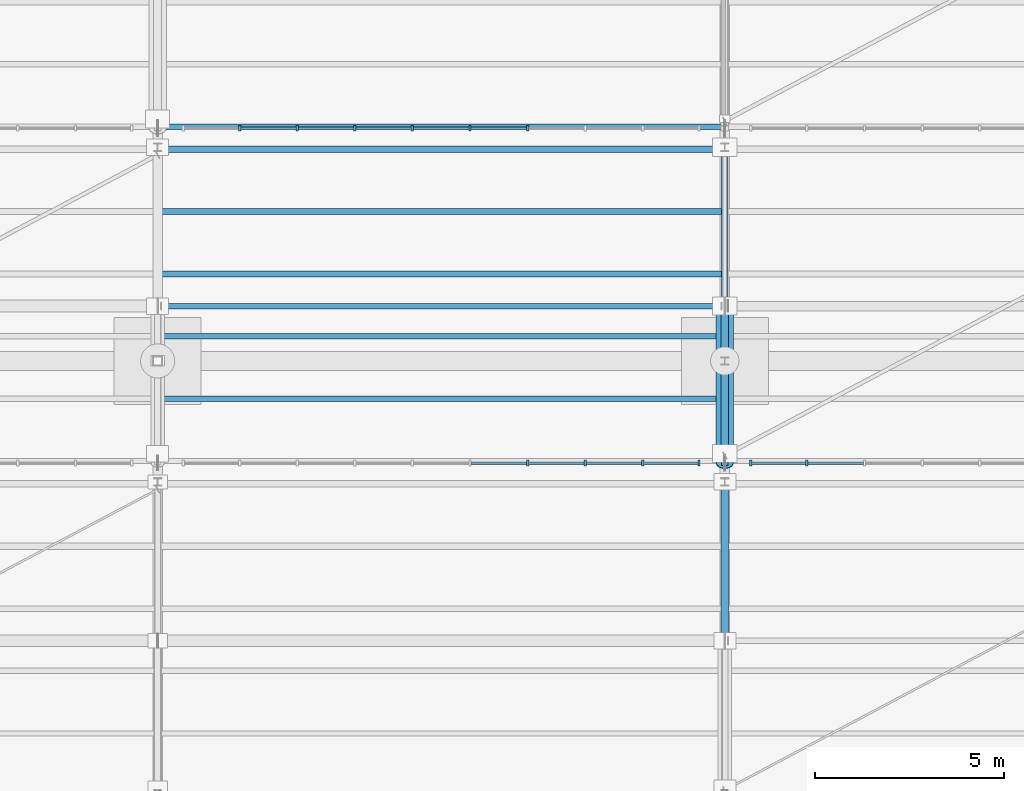
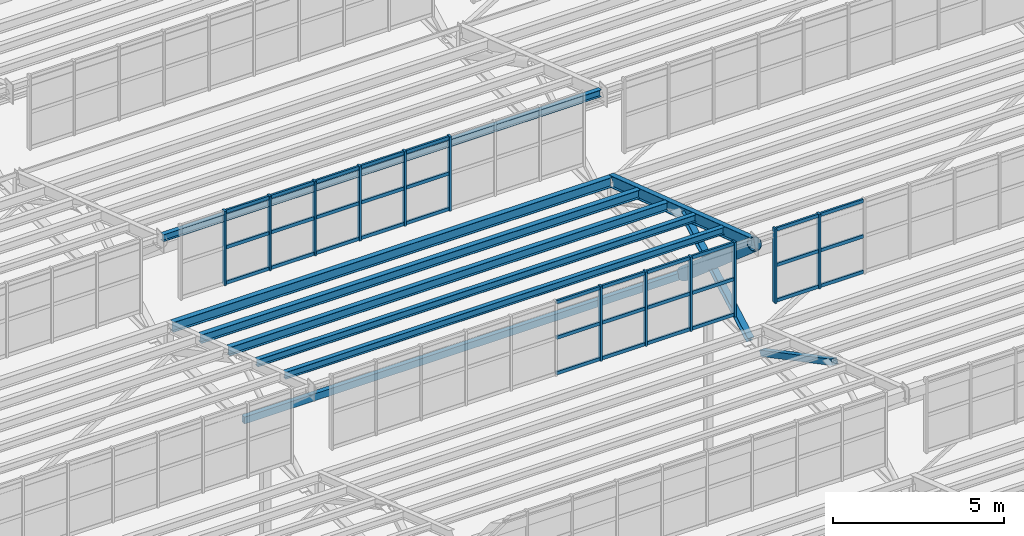
# One storey, part 58 of 285: 49 members, 7 beams, 3 elements without a shape of their own.
"""IFC4 building model written with IfcOpenShell, lengths in metres."""

import ifcopenshell
import ifcopenshell.guid

model = None  # the IFC model being written
_history = None  # IfcOwnerHistory: only IFC2X3 demands one
_inside = {}  # id of a spatial element -> (the spatial element, [elements in it])
_under = {}  # id of a project, library or spatial element -> (it, [spatial elements below it])
_declared = {}  # id of a project -> (the project, [libraries it declares])
_typed = {}  # id of a type object -> (the type object, [elements of that type])
_made_of = {}  # id of a material, layer set ... -> (it, [elements and type objects made of it])


def new_model(schema):
    """Start an empty IFC model of exactly this schema.

    Asked for "IFC4X3", IfcOpenShell would pick the latest addendum, in which some entities
    have other attributes; the version numbers below select the first issue.
    IFC2X3 requires an IfcOwnerHistory on every rooted entity: one is made here for all.
    """
    global model, _history
    if schema == "IFC4X3":
        model = ifcopenshell.file(schema_version=(4, 3, 0, 0))
    else:
        model = ifcopenshell.file(schema=schema)
    _inside.clear()
    _under.clear()
    _declared.clear()
    _typed.clear()
    _made_of.clear()
    _history = None
    if model.schema == "IFC2X3":
        org = make("IfcOrganization", Name="unknown")
        user = make(
            "IfcPersonAndOrganization",
            ThePerson=make("IfcPerson", FamilyName="unknown"),
            TheOrganization=org,
        )
        app = make(
            "IfcApplication",
            ApplicationDeveloper=org,
            Version="unknown",
            ApplicationFullName="unknown",
            ApplicationIdentifier="unknown",
        )
        _history = make(
            "IfcOwnerHistory",
            OwningUser=user,
            OwningApplication=app,
            ChangeAction="ADDED",
            CreationDate=0,
        )
    return model


def make(cls, **values):
    """One entity of the class cls with the attributes given. An attribute that is None is left unset."""
    return model.create_entity(
        cls, **{name: value for name, value in values.items() if value is not None}
    )


def rooted(cls, **values):
    """An entity with a GlobalId (a new one), such as an element, a storey or a relation."""
    return make(cls, GlobalId=ifcopenshell.guid.new(), OwnerHistory=_history, **values)


def si_unit(unit_type, name, prefix=None):
    """IfcSIUnit, for example si_unit("LENGTHUNIT", "METRE", prefix="MILLI")."""
    return make("IfcSIUnit", UnitType=unit_type, Prefix=prefix, Name=name)


def assignment(units):
    """IfcUnitAssignment: the units of a project."""
    return None if units is None else make("IfcUnitAssignment", Units=units)


def point(xyz):
    """IfcCartesianPoint."""
    return None if xyz is None else make("IfcCartesianPoint", Coordinates=xyz)


def direction(xyz):
    """IfcDirection."""
    return None if xyz is None else make("IfcDirection", DirectionRatios=xyz)


def frame(location, z_axis=None, x_axis=None):
    """IfcAxis2Placement3D, a coordinate frame: its origin and axes. An axis left out is left unset."""
    return make(
        "IfcAxis2Placement3D",
        Location=point(location),
        Axis=direction(z_axis),
        RefDirection=direction(x_axis),
    )


def frame_2d(location, x_axis=None):
    """IfcAxis2Placement2D, a coordinate frame in the plane: its origin and x axis."""
    return make(
        "IfcAxis2Placement2D", Location=point(location), RefDirection=direction(x_axis)
    )


def origin():
    """The frame at (0, 0, 0) with its axes left unset."""
    return frame((0.0, 0.0, 0.0))


def origin_2d():
    """The frame at (0, 0) in the plane with its x axis left unset."""
    return frame_2d((0.0, 0.0))


def place(relative_to, where):
    """IfcLocalPlacement: puts the frame where relative to a parent placement (None: the world)."""
    return make(
        "IfcLocalPlacement", PlacementRelTo=relative_to, RelativePlacement=where
    )


def context(
    kind, dimensions, precision=None, world=None, true_north=None, identifier=None
):
    """IfcGeometricRepresentationContext, for example the 3D "Model" context."""
    return make(
        "IfcGeometricRepresentationContext",
        ContextIdentifier=identifier,
        ContextType=kind,
        CoordinateSpaceDimension=dimensions,
        Precision=precision,
        WorldCoordinateSystem=world,
        TrueNorth=true_north,
    )


def subcontext(parent, identifier, kind, view, scale=None):
    """IfcGeometricRepresentationSubContext, for example "Body" below "Model"."""
    return make(
        "IfcGeometricRepresentationSubContext",
        ContextIdentifier=identifier,
        ContextType=kind,
        ParentContext=parent,
        TargetScale=scale,
        TargetView=view,
    )


def project(units=None, contexts=None):
    """IfcProject with its units and contexts."""
    return rooted(
        "IfcProject",
        Name="project",
        RepresentationContexts=contexts,
        UnitsInContext=assignment(units),
    )


def spatial(cls, under=None, at=None, **own):
    """A site, building, storey or space (cls), placed at a placement, below another one or the project."""
    s = rooted(cls, ObjectPlacement=at, **own)
    if under is not None:
        _under.setdefault(under.id(), (under, []))[1].append(s)
    return s


def profile(cls, at=None, kind="AREA", **sizes):
    """A parametric profile (cls). Its sizes go by their IFC names, for example OverallWidth=200.0."""
    return make(cls, ProfileType=kind, Position=at, **sizes)


def rectangle(**sizes):
    """IfcRectangleProfileDef."""
    return profile("IfcRectangleProfileDef", **sizes)


def hollow_rectangle(**sizes):
    """IfcRectangleHollowProfileDef."""
    return profile("IfcRectangleHollowProfileDef", **sizes)


def hollow_circle(**sizes):
    """IfcCircleHollowProfileDef."""
    return profile("IfcCircleHollowProfileDef", **sizes)


def i_section(**sizes):
    """IfcIShapeProfileDef."""
    return profile("IfcIShapeProfileDef", **sizes)


def extrude(swept, where, along, depth):
    """IfcExtrudedAreaSolid: the profile swept, set in the frame where, extruded along a direction by depth."""
    return make(
        "IfcExtrudedAreaSolid",
        SweptArea=swept,
        Position=where,
        ExtrudedDirection=direction(along),
        Depth=depth,
    )


def shape(context_of_items, identifier, shape_type, items):
    """IfcShapeRepresentation: the items that make up one representation, for example the "Body"."""
    return make(
        "IfcShapeRepresentation",
        ContextOfItems=context_of_items,
        RepresentationIdentifier=identifier,
        RepresentationType=shape_type,
        Items=items,
    )


def material(Name=None, Category=None):
    """IfcMaterial."""
    return make("IfcMaterial", Name=Name, Category=Category)


def material_profile(
    of_material, cross_section, Name=None, Category=None, Priority=None
):
    """IfcMaterialProfile: a cross section and its material."""
    return make(
        "IfcMaterialProfile",
        Name=Name,
        Material=of_material,
        Profile=cross_section,
        Priority=Priority,
        Category=Category,
    )


def profile_set(profiles, Name=None, composite=None):
    """IfcMaterialProfileSet."""
    return make(
        "IfcMaterialProfileSet",
        Name=Name,
        MaterialProfiles=profiles,
        CompositeProfile=composite,
    )


def made_of(thing, what):
    """Note that an element or type object is made of a material, layer set ...; save() writes the relation."""
    if what is not None:
        _made_of.setdefault(what.id(), (what, []))[1].append(thing)
    return thing


def type_object(cls, material=None, **own):
    """A type object (cls), such as IfcWallType, which elements share."""
    return made_of(rooted(cls, **own), material)


def element(
    cls,
    number,
    at=None,
    inside=None,
    cuts=None,
    type_object=None,
    material=None,
    context=None,
    identifier="Body",
    shape_type=None,
    held_by="IfcProductDefinitionShape",
    body=None,
    shapes=None,
    **own,
):
    """One element of the class cls, such as IfcWall. Its Tag is "e" and its number.

    at: its placement. inside: the storey or other place that contains it. cuts: it is an
    opening in that element (IfcRelVoidsElement). A single representation is given by context,
    identifier, shape_type and body (its items); several are given by shapes. held_by: the class
    of the entity that holds the representations. save() writes the other relations.
    """
    e = rooted(cls, Tag="e%d" % number, ObjectPlacement=at, **own)
    if body is not None:
        shapes = [shape(context, identifier, shape_type, body)]
    if shapes is not None:
        e.Representation = make(held_by, Representations=shapes)
    if inside is not None:
        _inside.setdefault(inside.id(), (inside, []))[1].append(e)
    if cuts is not None:
        rooted(
            "IfcRelVoidsElement", RelatingBuildingElement=cuts, RelatedOpeningElement=e
        )
    if type_object is not None:
        _typed.setdefault(type_object.id(), (type_object, []))[1].append(e)
    return made_of(e, material)


def aggregate(whole, parts):
    """IfcRelAggregates: a whole, such as a stair, and the parts it consists of."""
    return rooted("IfcRelAggregates", RelatingObject=whole, RelatedObjects=parts)


def save(model, path):
    """Write the relations noted so far, then the file.

    IfcRelAggregates (storeys below a building ...), IfcRelContainedInSpatialStructure (elements
    in a storey), IfcRelDefinesByType, IfcRelAssociatesMaterial and IfcRelDeclares: one each for
    every whole, place, type object, material and project.
    """
    for whole, parts in _under.values():
        aggregate(whole, parts)
    for where, things in _inside.values():
        rooted(
            "IfcRelContainedInSpatialStructure",
            RelatedElements=things,
            RelatingStructure=where,
        )
    for kind, things in _typed.values():
        rooted("IfcRelDefinesByType", RelatedObjects=things, RelatingType=kind)
    for what, things in _made_of.values():
        rooted("IfcRelAssociatesMaterial", RelatedObjects=things, RelatingMaterial=what)
    for by, libraries in _declared.values():
        rooted("IfcRelDeclares", RelatingContext=by, RelatedDefinitions=libraries)
    model.write(path)


model = new_model("IFC4")

# Units and contexts
model_context = context("Model", 3, precision=1e-05, world=origin(), true_north=direction((0.0, 1.0)))
body_context = subcontext(model_context, "Body", "Model", "MODEL_VIEW")
ifc_project = project(units=[si_unit("LENGTHUNIT", "METRE"), si_unit("AREAUNIT", "SQUARE_METRE"), si_unit("VOLUMEUNIT", "CUBIC_METRE"), si_unit("PLANEANGLEUNIT", "RADIAN"), si_unit("MASSUNIT", "GRAM", prefix="KILO")], contexts=[model_context])

# Site, building, storey
site_placement = place(None, origin())
site = spatial("IfcSite", under=ifc_project, at=site_placement, CompositionType="ELEMENT")
building_placement = place(site_placement, origin())
building = spatial("IfcBuilding", under=site, at=building_placement, Name="Solanera Park Tramway Depot", CompositionType="ELEMENT")
storey_placement = place(building_placement, origin())
storey = spatial("IfcBuildingStorey", under=building, at=storey_placement, Name="L00", CompositionType="ELEMENT", Elevation=0.0)

# Curtain wall, members
ifc_material_1 = material(Name="Bronze-anodised thermally broken aluminium curtain wall", Category="aluminium")
curtain_wall_type = type_object("IfcCurtainWallType", Name="Sawtooth Clerestory Monitor Curtain Wall", PredefinedType="NOTDEFINED", material=ifc_material_1)
curtain_wall_1_placement = place(storey_placement, origin())
curtain_wall_1 = element("IfcCurtainWall", 1, at=curtain_wall_1_placement, inside=storey, type_object=curtain_wall_type, Name="L00 Sawtooth Clerestory Monitor Curtain Wall #021", PredefinedType="NOTDEFINED")
ifc_material_2 = material(Name="Bronze-anodised structural aluminium 6063-T6", Category="aluminium")
ifc_material_profile_1 = material_profile(ifc_material_2, rectangle(XDim=0.06494140625, YDim=0.14990234375, at=origin_2d()), Name="Curtain Wall Mullion 65x150")
ifc_profile_set_1 = profile_set([ifc_material_profile_1], Name="Bronze-anodised structural aluminium 6063-T6")
member_type_1 = type_object("IfcMemberType", Name="Curtain Wall Mullion 65x150", PredefinedType="MULLION", material=ifc_profile_set_1)
member_1_placement = place(storey_placement, frame((39.783203125, 82.300048828125, 7.75), z_axis=(0.0, 0.0, 1.0), x_axis=(1.0, 0.0, 0.0)))
member_1 = element("IfcMember", 2, at=member_1_placement, type_object=member_type_1, Name="CW-L00-021 Mullion 7", PredefinedType="MULLION", context=body_context, shape_type="SweptSolid", body=[
    extrude(rectangle(XDim=0.06494140625, YDim=0.14990234375, at=origin_2d()), origin(), (0.0, 0.0, 1.0), 2.6611328125),
])
member_2_placement = place(storey_placement, frame((41.3056640625, 82.300048828125, 7.75), z_axis=(0.0, 0.0, 1.0), x_axis=(1.0, 0.0, 0.0)))
member_2 = element("IfcMember", 3, at=member_2_placement, type_object=member_type_1, Name="CW-L00-021 Mullion 8", PredefinedType="MULLION", context=body_context, shape_type="SweptSolid", body=[
    extrude(rectangle(XDim=0.06494140625, YDim=0.14990234375, at=origin_2d()), origin(), (0.0, 0.0, 1.0), 2.6611328125),
])
member_3_placement = place(storey_placement, frame((42.827880859375, 82.300048828125, 7.75), z_axis=(0.0, 0.0, 1.0), x_axis=(1.0, 0.0, 0.0)))
member_3 = element("IfcMember", 4, at=member_3_placement, type_object=member_type_1, Name="CW-L00-021 Mullion 9", PredefinedType="MULLION", context=body_context, shape_type="SweptSolid", body=[
    extrude(rectangle(XDim=0.06494140625, YDim=0.14990234375, at=origin_2d()), origin(), (0.0, 0.0, 1.0), 2.6611328125),
])
member_4_placement = place(storey_placement, frame((44.3173828125, 82.300048828125, 7.75), z_axis=(0.0, 0.0, 1.0), x_axis=(1.0, 0.0, 0.0)))
member_4 = element("IfcMember", 5, at=member_4_placement, type_object=member_type_1, Name="CW-L00-021 Mullion 10", PredefinedType="MULLION", context=body_context, shape_type="SweptSolid", body=[
    extrude(rectangle(XDim=0.06494140625, YDim=0.14990234375, at=origin_2d()), origin(), (0.0, 0.0, 1.0), 2.6611328125),
])

curtain_wall_2_placement = place(storey_placement, origin())
curtain_wall_2 = element("IfcCurtainWall", 6, at=curtain_wall_2_placement, inside=storey, type_object=curtain_wall_type, Name="L00 Sawtooth Clerestory Monitor Curtain Wall #022", PredefinedType="NOTDEFINED")
member_5_placement = place(storey_placement, frame((45.6826171875, 82.300048828125, 7.75), z_axis=(0.0, 0.0, 1.0), x_axis=(1.0, 0.0, 0.0)))
member_5 = element("IfcMember", 7, at=member_5_placement, type_object=member_type_1, Name="CW-L00-022 Mullion 1", PredefinedType="MULLION", context=body_context, shape_type="SweptSolid", body=[
    extrude(rectangle(XDim=0.06494140625, YDim=0.14990234375, at=origin_2d()), origin(), (0.0, 0.0, 1.0), 2.6611328125),
])
member_6_placement = place(storey_placement, frame((47.172119140625, 82.300048828125, 7.75), z_axis=(0.0, 0.0, 1.0), x_axis=(1.0, 0.0, 0.0)))
member_6 = element("IfcMember", 8, at=member_6_placement, type_object=member_type_1, Name="CW-L00-022 Mullion 2", PredefinedType="MULLION", context=body_context, shape_type="SweptSolid", body=[
    extrude(rectangle(XDim=0.06494140625, YDim=0.14990234375, at=origin_2d()), origin(), (0.0, 0.0, 1.0), 2.6611328125),
])

curtain_wall_3_placement = place(storey_placement, origin())
curtain_wall_3 = element("IfcCurtainWall", 9, at=curtain_wall_3_placement, inside=storey, type_object=curtain_wall_type, Name="L00 Sawtooth Clerestory Monitor Curtain Wall #029", PredefinedType="NOTDEFINED")
member_7_placement = place(storey_placement, frame((32.172119140625, 91.14990234375, 7.75), z_axis=(0.0, 0.0, 1.0), x_axis=(1.0, 0.0, 0.0)))
member_7 = element("IfcMember", 10, at=member_7_placement, type_object=member_type_1, Name="CW-L00-029 Mullion 2", PredefinedType="MULLION", context=body_context, shape_type="SweptSolid", body=[
    extrude(rectangle(XDim=0.06494140625, YDim=0.14990234375, at=origin_2d()), origin(), (0.0, 0.0, 1.0), 2.6611328125),
])
member_8_placement = place(storey_placement, frame((33.6943359375, 91.14990234375, 7.75), z_axis=(0.0, 0.0, 1.0), x_axis=(1.0, 0.0, 0.0)))
member_8 = element("IfcMember", 11, at=member_8_placement, type_object=member_type_1, Name="CW-L00-029 Mullion 3", PredefinedType="MULLION", context=body_context, shape_type="SweptSolid", body=[
    extrude(rectangle(XDim=0.06494140625, YDim=0.14990234375, at=origin_2d()), origin(), (0.0, 0.0, 1.0), 2.6611328125),
])
member_9_placement = place(storey_placement, frame((35.216796875, 91.14990234375, 7.75), z_axis=(0.0, 0.0, 1.0), x_axis=(1.0, 0.0, 0.0)))
member_9 = element("IfcMember", 12, at=member_9_placement, type_object=member_type_1, Name="CW-L00-029 Mullion 4", PredefinedType="MULLION", context=body_context, shape_type="SweptSolid", body=[
    extrude(rectangle(XDim=0.06494140625, YDim=0.14990234375, at=origin_2d()), origin(), (0.0, 0.0, 1.0), 2.6611328125),
])
member_10_placement = place(storey_placement, frame((36.739013671875, 91.14990234375, 7.75), z_axis=(0.0, 0.0, 1.0), x_axis=(1.0, 0.0, 0.0)))
member_10 = element("IfcMember", 13, at=member_10_placement, type_object=member_type_1, Name="CW-L00-029 Mullion 5", PredefinedType="MULLION", context=body_context, shape_type="SweptSolid", body=[
    extrude(rectangle(XDim=0.06494140625, YDim=0.14990234375, at=origin_2d()), origin(), (0.0, 0.0, 1.0), 2.6611328125),
])
member_11_placement = place(storey_placement, frame((38.260986328125, 91.14990234375, 7.75), z_axis=(0.0, 0.0, 1.0), x_axis=(1.0, 0.0, 0.0)))
member_11 = element("IfcMember", 14, at=member_11_placement, type_object=member_type_1, Name="CW-L00-029 Mullion 6", PredefinedType="MULLION", context=body_context, shape_type="SweptSolid", body=[
    extrude(rectangle(XDim=0.06494140625, YDim=0.14990234375, at=origin_2d()), origin(), (0.0, 0.0, 1.0), 2.6611328125),
])
member_12_placement = place(storey_placement, frame((39.783203125, 91.14990234375, 7.75), z_axis=(0.0, 0.0, 1.0), x_axis=(1.0, 0.0, 0.0)))
member_12 = element("IfcMember", 15, at=member_12_placement, type_object=member_type_1, Name="CW-L00-029 Mullion 7", PredefinedType="MULLION", context=body_context, shape_type="SweptSolid", body=[
    extrude(rectangle(XDim=0.06494140625, YDim=0.14990234375, at=origin_2d()), origin(), (0.0, 0.0, 1.0), 2.6611328125),
])

# Member
ifc_material_3 = material(Name="Bronze-anodised structural aluminium 6063-T6", Category="aluminium")
ifc_material_profile_2 = material_profile(ifc_material_3, rectangle(XDim=0.06494140625, YDim=0.1201171875, at=origin_2d()), Name="Curtain Wall Transom 65x120")
ifc_profile_set_2 = profile_set([ifc_material_profile_2], Name="Bronze-anodised structural aluminium 6063-T6")
member_type_2 = type_object("IfcMemberType", Name="Curtain Wall Transom 65x120", PredefinedType="USERDEFINED", material=ifc_profile_set_2)
member_13_placement = place(storey_placement, frame((38.2890625, 82.300048828125, 7.81005859375), z_axis=(1.0, 0.0, 0.0), x_axis=(0.0, 1.0, 0.0)))
member_13 = element("IfcMember", 16, at=member_13_placement, type_object=member_type_2, Name="CW-L00-021 Transom R1.C6", ObjectType="TRANSOM", PredefinedType="USERDEFINED", context=body_context, shape_type="SweptSolid", body=[
    extrude(rectangle(XDim=0.06494140625, YDim=0.1201171875, at=origin_2d()), origin(), (0.0, 0.0, 1.0), 1.46630859375),
])

member_14_placement = place(storey_placement, frame((39.811279296875, 82.300048828125, 7.81005859375), z_axis=(1.0, 0.0, 0.0), x_axis=(0.0, 1.0, 0.0)))
member_14 = element("IfcMember", 17, at=member_14_placement, type_object=member_type_2, Name="CW-L00-021 Transom R1.C7", ObjectType="TRANSOM", PredefinedType="USERDEFINED", context=body_context, shape_type="SweptSolid", body=[
    extrude(rectangle(XDim=0.06494140625, YDim=0.1201171875, at=origin_2d()), origin(), (0.0, 0.0, 1.0), 1.46630859375),
])

member_15_placement = place(storey_placement, frame((41.33349609375, 82.300048828125, 7.81005859375), z_axis=(1.0, 0.0, 0.0), x_axis=(0.0, 1.0, 0.0)))
member_15 = element("IfcMember", 18, at=member_15_placement, type_object=member_type_2, Name="CW-L00-021 Transom R1.C8", ObjectType="TRANSOM", PredefinedType="USERDEFINED", context=body_context, shape_type="SweptSolid", body=[
    extrude(rectangle(XDim=0.06494140625, YDim=0.1201171875, at=origin_2d()), origin(), (0.0, 0.0, 1.0), 1.46630859375),
])

member_16_placement = place(storey_placement, frame((42.855712890625, 82.300048828125, 7.81005859375), z_axis=(1.0, 0.0, 0.0), x_axis=(0.0, 1.0, 0.0)))
member_16 = element("IfcMember", 19, at=member_16_placement, type_object=member_type_2, Name="CW-L00-021 Transom R1.C9", ObjectType="TRANSOM", PredefinedType="USERDEFINED", context=body_context, shape_type="SweptSolid", body=[
    extrude(rectangle(XDim=0.06494140625, YDim=0.1201171875, at=origin_2d()), origin(), (0.0, 0.0, 1.0), 1.433837890625),
])

member_17_placement = place(storey_placement, frame((38.2890625, 82.300048828125, 9.08056640625), z_axis=(1.0, 0.0, 0.0), x_axis=(0.0, 1.0, 0.0)))
member_17 = element("IfcMember", 20, at=member_17_placement, type_object=member_type_2, Name="CW-L00-021 Transom R2.C6", ObjectType="TRANSOM", PredefinedType="USERDEFINED", context=body_context, shape_type="SweptSolid", body=[
    extrude(rectangle(XDim=0.06494140625, YDim=0.1201171875, at=origin_2d()), origin(), (0.0, 0.0, 1.0), 1.46630859375),
])

member_18_placement = place(storey_placement, frame((39.811279296875, 82.300048828125, 9.08056640625), z_axis=(1.0, 0.0, 0.0), x_axis=(0.0, 1.0, 0.0)))
member_18 = element("IfcMember", 21, at=member_18_placement, type_object=member_type_2, Name="CW-L00-021 Transom R2.C7", ObjectType="TRANSOM", PredefinedType="USERDEFINED", context=body_context, shape_type="SweptSolid", body=[
    extrude(rectangle(XDim=0.06494140625, YDim=0.1201171875, at=origin_2d()), origin(), (0.0, 0.0, 1.0), 1.46630859375),
])

member_19_placement = place(storey_placement, frame((41.33349609375, 82.300048828125, 9.08056640625), z_axis=(1.0, 0.0, 0.0), x_axis=(0.0, 1.0, 0.0)))
member_19 = element("IfcMember", 22, at=member_19_placement, type_object=member_type_2, Name="CW-L00-021 Transom R2.C8", ObjectType="TRANSOM", PredefinedType="USERDEFINED", context=body_context, shape_type="SweptSolid", body=[
    extrude(rectangle(XDim=0.06494140625, YDim=0.1201171875, at=origin_2d()), origin(), (0.0, 0.0, 1.0), 1.46630859375),
])

member_20_placement = place(storey_placement, frame((42.855712890625, 82.300048828125, 9.08056640625), z_axis=(1.0, 0.0, 0.0), x_axis=(0.0, 1.0, 0.0)))
member_20 = element("IfcMember", 23, at=member_20_placement, type_object=member_type_2, Name="CW-L00-021 Transom R2.C9", ObjectType="TRANSOM", PredefinedType="USERDEFINED", context=body_context, shape_type="SweptSolid", body=[
    extrude(rectangle(XDim=0.06494140625, YDim=0.1201171875, at=origin_2d()), origin(), (0.0, 0.0, 1.0), 1.433837890625),
])

member_21_placement = place(storey_placement, frame((38.2890625, 82.300048828125, 10.351318359375), z_axis=(1.0, 0.0, 0.0), x_axis=(0.0, 1.0, 0.0)))
member_21 = element("IfcMember", 24, at=member_21_placement, type_object=member_type_2, Name="CW-L00-021 Transom R3.C6", ObjectType="TRANSOM", PredefinedType="USERDEFINED", context=body_context, shape_type="SweptSolid", body=[
    extrude(rectangle(XDim=0.06494140625, YDim=0.1201171875, at=origin_2d()), origin(), (0.0, 0.0, 1.0), 1.46630859375),
])

member_22_placement = place(storey_placement, frame((39.811279296875, 82.300048828125, 10.351318359375), z_axis=(1.0, 0.0, 0.0), x_axis=(0.0, 1.0, 0.0)))
member_22 = element("IfcMember", 25, at=member_22_placement, type_object=member_type_2, Name="CW-L00-021 Transom R3.C7", ObjectType="TRANSOM", PredefinedType="USERDEFINED", context=body_context, shape_type="SweptSolid", body=[
    extrude(rectangle(XDim=0.06494140625, YDim=0.1201171875, at=origin_2d()), origin(), (0.0, 0.0, 1.0), 1.46630859375),
])

member_23_placement = place(storey_placement, frame((41.33349609375, 82.300048828125, 10.351318359375), z_axis=(1.0, 0.0, 0.0), x_axis=(0.0, 1.0, 0.0)))
member_23 = element("IfcMember", 26, at=member_23_placement, type_object=member_type_2, Name="CW-L00-021 Transom R3.C8", ObjectType="TRANSOM", PredefinedType="USERDEFINED", context=body_context, shape_type="SweptSolid", body=[
    extrude(rectangle(XDim=0.06494140625, YDim=0.1201171875, at=origin_2d()), origin(), (0.0, 0.0, 1.0), 1.46630859375),
])

member_24_placement = place(storey_placement, frame((42.855712890625, 82.300048828125, 10.351318359375), z_axis=(1.0, 0.0, 0.0), x_axis=(0.0, 1.0, 0.0)))
member_24 = element("IfcMember", 27, at=member_24_placement, type_object=member_type_2, Name="CW-L00-021 Transom R3.C9", ObjectType="TRANSOM", PredefinedType="USERDEFINED", context=body_context, shape_type="SweptSolid", body=[
    extrude(rectangle(XDim=0.06494140625, YDim=0.1201171875, at=origin_2d()), origin(), (0.0, 0.0, 1.0), 1.433837890625),
])

aggregate(curtain_wall_1, [member_1, member_2, member_3, member_4, member_13, member_14, member_15, member_16, member_17, member_18, member_19, member_20, member_21, member_22, member_23, member_24])

member_25_placement = place(storey_placement, frame((45.71044921875, 82.300048828125, 7.81005859375), z_axis=(1.0, 0.0, 0.0), x_axis=(0.0, 1.0, 0.0)))
member_25 = element("IfcMember", 28, at=member_25_placement, type_object=member_type_2, Name="CW-L00-022 Transom R1.C1", ObjectType="TRANSOM", PredefinedType="USERDEFINED", context=body_context, shape_type="SweptSolid", body=[
    extrude(rectangle(XDim=0.06494140625, YDim=0.1201171875, at=origin_2d()), origin(), (0.0, 0.0, 1.0), 1.433837890625),
])

member_26_placement = place(storey_placement, frame((47.2001953125, 82.300048828125, 7.81005859375), z_axis=(1.0, 0.0, 0.0), x_axis=(0.0, 1.0, 0.0)))
member_26 = element("IfcMember", 29, at=member_26_placement, type_object=member_type_2, Name="CW-L00-022 Transom R1.C2", ObjectType="TRANSOM", PredefinedType="USERDEFINED", context=body_context, shape_type="SweptSolid", body=[
    extrude(rectangle(XDim=0.06494140625, YDim=0.1201171875, at=origin_2d()), origin(), (0.0, 0.0, 1.0), 1.46630859375),
])

member_27_placement = place(storey_placement, frame((45.71044921875, 82.300048828125, 9.08056640625), z_axis=(1.0, 0.0, 0.0), x_axis=(0.0, 1.0, 0.0)))
member_27 = element("IfcMember", 30, at=member_27_placement, type_object=member_type_2, Name="CW-L00-022 Transom R2.C1", ObjectType="TRANSOM", PredefinedType="USERDEFINED", context=body_context, shape_type="SweptSolid", body=[
    extrude(rectangle(XDim=0.06494140625, YDim=0.1201171875, at=origin_2d()), origin(), (0.0, 0.0, 1.0), 1.433837890625),
])

member_28_placement = place(storey_placement, frame((47.2001953125, 82.300048828125, 9.08056640625), z_axis=(1.0, 0.0, 0.0), x_axis=(0.0, 1.0, 0.0)))
member_28 = element("IfcMember", 31, at=member_28_placement, type_object=member_type_2, Name="CW-L00-022 Transom R2.C2", ObjectType="TRANSOM", PredefinedType="USERDEFINED", context=body_context, shape_type="SweptSolid", body=[
    extrude(rectangle(XDim=0.06494140625, YDim=0.1201171875, at=origin_2d()), origin(), (0.0, 0.0, 1.0), 1.46630859375),
])

member_29_placement = place(storey_placement, frame((45.71044921875, 82.300048828125, 10.351318359375), z_axis=(1.0, 0.0, 0.0), x_axis=(0.0, 1.0, 0.0)))
member_29 = element("IfcMember", 32, at=member_29_placement, type_object=member_type_2, Name="CW-L00-022 Transom R3.C1", ObjectType="TRANSOM", PredefinedType="USERDEFINED", context=body_context, shape_type="SweptSolid", body=[
    extrude(rectangle(XDim=0.06494140625, YDim=0.1201171875, at=origin_2d()), origin(), (0.0, 0.0, 1.0), 1.433837890625),
])

member_30_placement = place(storey_placement, frame((47.2001953125, 82.300048828125, 10.351318359375), z_axis=(1.0, 0.0, 0.0), x_axis=(0.0, 1.0, 0.0)))
member_30 = element("IfcMember", 33, at=member_30_placement, type_object=member_type_2, Name="CW-L00-022 Transom R3.C2", ObjectType="TRANSOM", PredefinedType="USERDEFINED", context=body_context, shape_type="SweptSolid", body=[
    extrude(rectangle(XDim=0.06494140625, YDim=0.1201171875, at=origin_2d()), origin(), (0.0, 0.0, 1.0), 1.46630859375),
])

aggregate(curtain_wall_2, [member_5, member_6, member_25, member_26, member_27, member_28, member_29, member_30])

member_31_placement = place(storey_placement, frame((32.2001953125, 91.14990234375, 7.81005859375), z_axis=(1.0, 0.0, 0.0), x_axis=(0.0, 1.0, 0.0)))
member_31 = element("IfcMember", 34, at=member_31_placement, type_object=member_type_2, Name="CW-L00-029 Transom R1.C2", ObjectType="TRANSOM", PredefinedType="USERDEFINED", context=body_context, shape_type="SweptSolid", body=[
    extrude(rectangle(XDim=0.06494140625, YDim=0.1201171875, at=origin_2d()), origin(), (0.0, 0.0, 1.0), 1.46630859375),
])

member_32_placement = place(storey_placement, frame((33.722412109375, 91.14990234375, 7.81005859375), z_axis=(1.0, 0.0, 0.0), x_axis=(0.0, 1.0, 0.0)))
member_32 = element("IfcMember", 35, at=member_32_placement, type_object=member_type_2, Name="CW-L00-029 Transom R1.C3", ObjectType="TRANSOM", PredefinedType="USERDEFINED", context=body_context, shape_type="SweptSolid", body=[
    extrude(rectangle(XDim=0.06494140625, YDim=0.1201171875, at=origin_2d()), origin(), (0.0, 0.0, 1.0), 1.46630859375),
])

member_33_placement = place(storey_placement, frame((35.24462890625, 91.14990234375, 7.81005859375), z_axis=(1.0, 0.0, 0.0), x_axis=(0.0, 1.0, 0.0)))
member_33 = element("IfcMember", 36, at=member_33_placement, type_object=member_type_2, Name="CW-L00-029 Transom R1.C4", ObjectType="TRANSOM", PredefinedType="USERDEFINED", context=body_context, shape_type="SweptSolid", body=[
    extrude(rectangle(XDim=0.06494140625, YDim=0.1201171875, at=origin_2d()), origin(), (0.0, 0.0, 1.0), 1.46630859375),
])

member_34_placement = place(storey_placement, frame((36.766845703125, 91.14990234375, 7.81005859375), z_axis=(1.0, 0.0, 0.0), x_axis=(0.0, 1.0, 0.0)))
member_34 = element("IfcMember", 37, at=member_34_placement, type_object=member_type_2, Name="CW-L00-029 Transom R1.C5", ObjectType="TRANSOM", PredefinedType="USERDEFINED", context=body_context, shape_type="SweptSolid", body=[
    extrude(rectangle(XDim=0.06494140625, YDim=0.1201171875, at=origin_2d()), origin(), (0.0, 0.0, 1.0), 1.46630859375),
])

member_35_placement = place(storey_placement, frame((38.2890625, 91.14990234375, 7.81005859375), z_axis=(1.0, 0.0, 0.0), x_axis=(0.0, 1.0, 0.0)))
member_35 = element("IfcMember", 38, at=member_35_placement, type_object=member_type_2, Name="CW-L00-029 Transom R1.C6", ObjectType="TRANSOM", PredefinedType="USERDEFINED", context=body_context, shape_type="SweptSolid", body=[
    extrude(rectangle(XDim=0.06494140625, YDim=0.1201171875, at=origin_2d()), origin(), (0.0, 0.0, 1.0), 1.46630859375),
])

member_36_placement = place(storey_placement, frame((32.2001953125, 91.14990234375, 9.08056640625), z_axis=(1.0, 0.0, 0.0), x_axis=(0.0, 1.0, 0.0)))
member_36 = element("IfcMember", 39, at=member_36_placement, type_object=member_type_2, Name="CW-L00-029 Transom R2.C2", ObjectType="TRANSOM", PredefinedType="USERDEFINED", context=body_context, shape_type="SweptSolid", body=[
    extrude(rectangle(XDim=0.06494140625, YDim=0.1201171875, at=origin_2d()), origin(), (0.0, 0.0, 1.0), 1.46630859375),
])

member_37_placement = place(storey_placement, frame((33.722412109375, 91.14990234375, 9.08056640625), z_axis=(1.0, 0.0, 0.0), x_axis=(0.0, 1.0, 0.0)))
member_37 = element("IfcMember", 40, at=member_37_placement, type_object=member_type_2, Name="CW-L00-029 Transom R2.C3", ObjectType="TRANSOM", PredefinedType="USERDEFINED", context=body_context, shape_type="SweptSolid", body=[
    extrude(rectangle(XDim=0.06494140625, YDim=0.1201171875, at=origin_2d()), origin(), (0.0, 0.0, 1.0), 1.46630859375),
])

member_38_placement = place(storey_placement, frame((35.24462890625, 91.14990234375, 9.08056640625), z_axis=(1.0, 0.0, 0.0), x_axis=(0.0, 1.0, 0.0)))
member_38 = element("IfcMember", 41, at=member_38_placement, type_object=member_type_2, Name="CW-L00-029 Transom R2.C4", ObjectType="TRANSOM", PredefinedType="USERDEFINED", context=body_context, shape_type="SweptSolid", body=[
    extrude(rectangle(XDim=0.06494140625, YDim=0.1201171875, at=origin_2d()), origin(), (0.0, 0.0, 1.0), 1.46630859375),
])

member_39_placement = place(storey_placement, frame((36.766845703125, 91.14990234375, 9.08056640625), z_axis=(1.0, 0.0, 0.0), x_axis=(0.0, 1.0, 0.0)))
member_39 = element("IfcMember", 42, at=member_39_placement, type_object=member_type_2, Name="CW-L00-029 Transom R2.C5", ObjectType="TRANSOM", PredefinedType="USERDEFINED", context=body_context, shape_type="SweptSolid", body=[
    extrude(rectangle(XDim=0.06494140625, YDim=0.1201171875, at=origin_2d()), origin(), (0.0, 0.0, 1.0), 1.46630859375),
])

member_40_placement = place(storey_placement, frame((38.2890625, 91.14990234375, 9.08056640625), z_axis=(1.0, 0.0, 0.0), x_axis=(0.0, 1.0, 0.0)))
member_40 = element("IfcMember", 43, at=member_40_placement, type_object=member_type_2, Name="CW-L00-029 Transom R2.C6", ObjectType="TRANSOM", PredefinedType="USERDEFINED", context=body_context, shape_type="SweptSolid", body=[
    extrude(rectangle(XDim=0.06494140625, YDim=0.1201171875, at=origin_2d()), origin(), (0.0, 0.0, 1.0), 1.46630859375),
])

member_41_placement = place(storey_placement, frame((32.2001953125, 91.14990234375, 10.351318359375), z_axis=(1.0, 0.0, 0.0), x_axis=(0.0, 1.0, 0.0)))
member_41 = element("IfcMember", 44, at=member_41_placement, type_object=member_type_2, Name="CW-L00-029 Transom R3.C2", ObjectType="TRANSOM", PredefinedType="USERDEFINED", context=body_context, shape_type="SweptSolid", body=[
    extrude(rectangle(XDim=0.06494140625, YDim=0.1201171875, at=origin_2d()), origin(), (0.0, 0.0, 1.0), 1.46630859375),
])

member_42_placement = place(storey_placement, frame((33.722412109375, 91.14990234375, 10.351318359375), z_axis=(1.0, 0.0, 0.0), x_axis=(0.0, 1.0, 0.0)))
member_42 = element("IfcMember", 45, at=member_42_placement, type_object=member_type_2, Name="CW-L00-029 Transom R3.C3", ObjectType="TRANSOM", PredefinedType="USERDEFINED", context=body_context, shape_type="SweptSolid", body=[
    extrude(rectangle(XDim=0.06494140625, YDim=0.1201171875, at=origin_2d()), origin(), (0.0, 0.0, 1.0), 1.46630859375),
])

member_43_placement = place(storey_placement, frame((35.24462890625, 91.14990234375, 10.351318359375), z_axis=(1.0, 0.0, 0.0), x_axis=(0.0, 1.0, 0.0)))
member_43 = element("IfcMember", 46, at=member_43_placement, type_object=member_type_2, Name="CW-L00-029 Transom R3.C4", ObjectType="TRANSOM", PredefinedType="USERDEFINED", context=body_context, shape_type="SweptSolid", body=[
    extrude(rectangle(XDim=0.06494140625, YDim=0.1201171875, at=origin_2d()), origin(), (0.0, 0.0, 1.0), 1.46630859375),
])

member_44_placement = place(storey_placement, frame((36.766845703125, 91.14990234375, 10.351318359375), z_axis=(1.0, 0.0, 0.0), x_axis=(0.0, 1.0, 0.0)))
member_44 = element("IfcMember", 47, at=member_44_placement, type_object=member_type_2, Name="CW-L00-029 Transom R3.C5", ObjectType="TRANSOM", PredefinedType="USERDEFINED", context=body_context, shape_type="SweptSolid", body=[
    extrude(rectangle(XDim=0.06494140625, YDim=0.1201171875, at=origin_2d()), origin(), (0.0, 0.0, 1.0), 1.46630859375),
])

member_45_placement = place(storey_placement, frame((38.2890625, 91.14990234375, 10.351318359375), z_axis=(1.0, 0.0, 0.0), x_axis=(0.0, 1.0, 0.0)))
member_45 = element("IfcMember", 48, at=member_45_placement, type_object=member_type_2, Name="CW-L00-029 Transom R3.C6", ObjectType="TRANSOM", PredefinedType="USERDEFINED", context=body_context, shape_type="SweptSolid", body=[
    extrude(rectangle(XDim=0.06494140625, YDim=0.1201171875, at=origin_2d()), origin(), (0.0, 0.0, 1.0), 1.46630859375),
])

aggregate(curtain_wall_3, [member_7, member_8, member_9, member_10, member_11, member_12, member_31, member_32, member_33, member_34, member_35, member_36, member_37, member_38, member_39, member_40, member_41, member_42, member_43, member_44, member_45])

# Members
ifc_material_4 = material(Name="Steel AS/NZS 3679.1 Grade 350", Category="steel")
ifc_material_profile_3 = material_profile(ifc_material_4, i_section(OverallWidth=0.205078125, OverallDepth=0.209716796875, WebThickness=0.00927734375, FlangeThickness=0.01416015625, at=origin_2d()), Name="200UC59.5")
ifc_profile_set_3 = profile_set([ifc_material_profile_3], Name="Steel AS/NZS 3679.1 Grade 350")
member_type_3 = type_object("IfcMemberType", Name="Roof Gantry Compression Strut 200UC59.5", PredefinedType="STRUT", material=ifc_profile_set_3)
member_46_placement = place(storey_placement, frame((45.0, 82.550048828125, 6.5), z_axis=(0.0, 0.871630906744, 0.490162791742), x_axis=(-1.0, 0.0, 0.0)))
element("IfcMember", 49, at=member_46_placement, inside=storey, type_object=member_type_3, Name="Sawtooth ROOF TRUSS Strut 200UC59.5 #0143", PredefinedType="STRUT", context=body_context, shape_type="SweptSolid", body=[
    extrude(i_section(OverallWidth=0.205078125, OverallDepth=0.209716796875, WebThickness=0.00927734375, FlangeThickness=0.01416015625, at=origin_2d()), origin(), (0.0, 0.0, 1.0), 4.474365234375),
])
ifc_material_5 = material(Name="Steel AS/NZS 1163 Grade C350L0", Category="steel")
ifc_material_profile_4 = material_profile(ifc_material_5, hollow_rectangle(XDim=0.14990234375, YDim=0.25, WallThickness=0.008056640625, at=origin_2d()), Name="250x150x8.0 RHS")
ifc_profile_set_4 = profile_set([ifc_material_profile_4], Name="Steel AS/NZS 1163 Grade C350L0")
member_type_4 = type_object("IfcMemberType", Name="Secondary Truss Chord 250x150x8.0 RHS", PredefinedType="CHORD", material=ifc_profile_set_4)
member_47_placement = place(storey_placement, frame((30.087890625, 86.449951171875, 6.5), z_axis=(1.0, 0.0, 0.0), x_axis=(0.0, 1.0, 0.0)))
element("IfcMember", 50, at=member_47_placement, inside=storey, type_object=member_type_4, Name="Sawtooth Longitudinal Tie Chord 250x150x8.0 RHS #0168", PredefinedType="CHORD", context=body_context, shape_type="SweptSolid", body=[
    extrude(hollow_rectangle(XDim=0.14990234375, YDim=0.25, WallThickness=0.008056640625, at=origin_2d()), origin(), (0.0, 0.0, 1.0), 14.82421875),
])

# Beams
ifc_material_6 = material(Name="Steel AS/NZS 3679.1 Grade 350", Category="steel")
ifc_material_profile_5 = material_profile(ifc_material_6, i_section(OverallWidth=0.177734375, OverallDepth=0.406494140625, WebThickness=0.0078125, FlangeThickness=0.0126953125, at=origin_2d()), Name="410UB59.7")
ifc_profile_set_5 = profile_set([ifc_material_profile_5], Name="Steel AS/NZS 3679.1 Grade 350")
beam_type_1 = type_object("IfcBeamType", Name="Steel Beam 410UB59.7", PredefinedType="BEAM", material=ifc_profile_set_5)
beam_1_placement = place(storey_placement, frame((45.0, 82.300048828125, 10.08154296875), z_axis=(0.0, 0.948319437663, -0.317317261034), x_axis=(-1.0, 0.0, 0.0)))
element("IfcBeam", 51, at=beam_1_placement, inside=storey, type_object=beam_type_1, Name="Sawtooth ROOF TRUSS Top Rafter 410UB59.7 B04-T4", PredefinedType="BEAM", context=body_context, shape_type="SweptSolid", body=[
    extrude(i_section(OverallWidth=0.177734375, OverallDepth=0.406494140625, WebThickness=0.0078125, FlangeThickness=0.0126953125, at=origin_2d()), origin(), (0.0, 0.0, 1.0), 8.804931640625),
])
ifc_material_7 = material(Name="Steel AS/NZS 3679.1 Grade 350", Category="steel")
ifc_material_profile_6 = material_profile(ifc_material_7, i_section(OverallWidth=0.14599609375, OverallDepth=0.251708984375, WebThickness=0.006103515625, FlangeThickness=0.008544921875, at=origin_2d()), Name="250UB31.4")
ifc_profile_set_6 = profile_set([ifc_material_profile_6], Name="Steel AS/NZS 3679.1 Grade 350")
beam_type_2 = type_object("IfcBeamType", Name="Steel Joist Purlin 250UB31.4", PredefinedType="JOIST", material=ifc_profile_set_6)
beam_2_placement = place(storey_placement, frame((30.077880859375, 84.0, 9.587890625), z_axis=(1.0, 0.0, 0.0), x_axis=(0.0, 1.0, 0.0)))
element("IfcBeam", 52, at=beam_2_placement, inside=storey, type_object=beam_type_2, Name="Sawtooth Roof Purlin 250UB31.4 B04.2", PredefinedType="JOIST", context=body_context, shape_type="SweptSolid", body=[
    extrude(i_section(OverallWidth=0.14599609375, OverallDepth=0.251708984375, WebThickness=0.006103515625, FlangeThickness=0.008544921875, at=origin_2d()), origin(), (0.0, 0.0, 1.0), 14.84130859375),
])
beam_3_placement = place(storey_placement, frame((30.080810546875, 91.199951171875, 10.139892578125), z_axis=(1.0, 0.0, 0.0), x_axis=(0.0, 1.0, 0.0)))
element("IfcBeam", 53, at=beam_3_placement, inside=storey, type_object=beam_type_2, Name="Sawtooth Roof Purlin 250UB31.4 B05.1", PredefinedType="JOIST", context=body_context, shape_type="SweptSolid", body=[
    extrude(i_section(OverallWidth=0.14599609375, OverallDepth=0.251708984375, WebThickness=0.006103515625, FlangeThickness=0.008544921875, at=origin_2d()), origin(), (0.0, 0.0, 1.0), 14.83203125),
])
ifc_material_8 = material(Name="Steel AS/NZS 3679.1 Grade 350", Category="steel")
ifc_material_profile_7 = material_profile(ifc_material_8, i_section(OverallWidth=0.146484375, OverallDepth=0.256103515625, WebThickness=0.00634765625, FlangeThickness=0.010986328125, at=origin_2d()), Name="250UB37.3")
ifc_profile_set_7 = profile_set([ifc_material_profile_7], Name="Steel AS/NZS 3679.1 Grade 350")
beam_type_3 = type_object("IfcBeamType", Name="Steel Joist Purlin 250UB37.3", PredefinedType="JOIST", material=ifc_profile_set_7)
beam_4_placement = place(storey_placement, frame((30.077880859375, 85.64990234375, 9.033203125), z_axis=(1.0, 0.0, 0.0), x_axis=(0.0, 1.0, 0.0)))
element("IfcBeam", 54, at=beam_4_placement, inside=storey, type_object=beam_type_3, Name="Sawtooth Roof Purlin 250UB37.3 B04.3", PredefinedType="JOIST", context=body_context, shape_type="SweptSolid", body=[
    extrude(i_section(OverallWidth=0.146484375, OverallDepth=0.256103515625, WebThickness=0.00634765625, FlangeThickness=0.010986328125, at=origin_2d()), origin(), (0.0, 0.0, 1.0), 14.84130859375),
])
ifc_material_9 = material(Name="Steel AS/NZS 3679.1 Grade 350", Category="steel")
ifc_material_profile_8 = material_profile(ifc_material_9, i_section(OverallWidth=0.1650390625, OverallDepth=0.3037109375, WebThickness=0.006103515625, FlangeThickness=0.01025390625, at=origin_2d()), Name="310UB40.4")
ifc_profile_set_8 = profile_set([ifc_material_profile_8], Name="Steel AS/NZS 3679.1 Grade 350")
beam_type_4 = type_object("IfcBeamType", Name="Steel Joist Purlin 310UB40.4", PredefinedType="JOIST", material=ifc_profile_set_8)
beam_5_placement = place(storey_placement, frame((30.077880859375, 87.300048828125, 8.454345703125), z_axis=(1.0, 0.0, 0.0), x_axis=(0.0, 1.0, 0.0)))
element("IfcBeam", 55, at=beam_5_placement, inside=storey, type_object=beam_type_4, Name="Sawtooth Roof Purlin 310UB40.4 B04.4", PredefinedType="JOIST", context=body_context, shape_type="SweptSolid", body=[
    extrude(i_section(OverallWidth=0.1650390625, OverallDepth=0.3037109375, WebThickness=0.006103515625, FlangeThickness=0.01025390625, at=origin_2d()), origin(), (0.0, 0.0, 1.0), 14.84130859375),
])
ifc_material_10 = material(Name="Steel AS/NZS 3679.1 Grade 350", Category="steel")
ifc_material_profile_9 = material_profile(ifc_material_10, i_section(OverallWidth=0.166015625, OverallDepth=0.30712890625, WebThickness=0.006591796875, FlangeThickness=0.01171875, at=origin_2d()), Name="310UB46.2")
ifc_profile_set_9 = profile_set([ifc_material_profile_9], Name="Steel AS/NZS 3679.1 Grade 350")
beam_type_5 = type_object("IfcBeamType", Name="Steel Joist Purlin 310UB46.2", PredefinedType="JOIST", material=ifc_profile_set_9)
beam_6_placement = place(storey_placement, frame((30.077880859375, 88.949951171875, 7.900390625), z_axis=(1.0, 0.0, 0.0), x_axis=(0.0, 1.0, 0.0)))
element("IfcBeam", 56, at=beam_6_placement, inside=storey, type_object=beam_type_5, Name="Sawtooth Roof Purlin 310UB46.2 B04.5", PredefinedType="JOIST", context=body_context, shape_type="SweptSolid", body=[
    extrude(i_section(OverallWidth=0.166015625, OverallDepth=0.30712890625, WebThickness=0.006591796875, FlangeThickness=0.01171875, at=origin_2d()), origin(), (0.0, 0.0, 1.0), 14.84130859375),
])
ifc_material_11 = material(Name="Steel AS/NZS 3679.1 Grade 350", Category="steel")
ifc_material_profile_10 = material_profile(ifc_material_11, i_section(OverallWidth=0.17138671875, OverallDepth=0.355712890625, WebThickness=0.00732421875, FlangeThickness=0.011474609375, at=origin_2d()), Name="360UB50.7")
ifc_profile_set_10 = profile_set([ifc_material_profile_10], Name="Steel AS/NZS 3679.1 Grade 350")
beam_type_6 = type_object("IfcBeamType", Name="Steel Joist Purlin 360UB50.7", PredefinedType="JOIST", material=ifc_profile_set_10)
beam_7_placement = place(storey_placement, frame((30.077880859375, 90.60009765625, 7.3232421875), z_axis=(1.0, 0.0, 0.0), x_axis=(0.0, 1.0, 0.0)))
element("IfcBeam", 57, at=beam_7_placement, inside=storey, type_object=beam_type_6, Name="Sawtooth Roof Purlin 360UB50.7 B04.6", PredefinedType="JOIST", context=body_context, shape_type="SweptSolid", body=[
    extrude(i_section(OverallWidth=0.17138671875, OverallDepth=0.355712890625, WebThickness=0.00732421875, FlangeThickness=0.011474609375, at=origin_2d()), origin(), (0.0, 0.0, 1.0), 14.84130859375),
])

# Members
ifc_material_12 = material(Name="Steel AS/NZS 1163 Grade C350L0", Category="steel")
ifc_material_profile_11 = material_profile(ifc_material_12, hollow_rectangle(XDim=0.199951171875, YDim=0.199951171875, WallThickness=0.008056640625, at=origin_2d()), Name="200x200x8.0 SHS")
ifc_profile_set_11 = profile_set([ifc_material_profile_11], Name="Steel AS/NZS 1163 Grade C350L0")
member_type_5 = type_object("IfcMemberType", Name="Truss and Frame Brace 200x200x8.0 SHS", PredefinedType="BRACE", material=ifc_profile_set_11)
member_48_placement = place(storey_placement, frame((45.0, 81.800048828125, 6.5), z_axis=(0.0, -0.884222622593, 0.467065684561), x_axis=(1.0, 0.0, 0.0)))
element("IfcMember", 58, at=member_48_placement, inside=storey, type_object=member_type_5, Name="Sawtooth ROOF TRUSS Diagonal 200x200x8.0 SHS #0095", PredefinedType="BRACE", context=body_context, shape_type="SweptSolid", body=[
    extrude(hollow_rectangle(XDim=0.199951171875, YDim=0.199951171875, WallThickness=0.008056640625, at=origin_2d()), origin(), (0.0, 0.0, 1.0), 4.75),
])
ifc_material_13 = material(Name="Steel AS/NZS 1163 Grade C350L0", Category="steel")
ifc_material_profile_12 = material_profile(ifc_material_13, hollow_circle(Radius=0.228515625, WallThickness=0.0126953125, at=origin_2d()), Name="457.0x12.7 CHS")
ifc_profile_set_12 = profile_set([ifc_material_profile_12], Name="Steel AS/NZS 1163 Grade C350L0")
member_type_6 = type_object("IfcMemberType", Name="Truss and Frame Brace 457.0x12.7 CHS", PredefinedType="BRACE", material=ifc_profile_set_12)
member_49_placement = place(storey_placement, frame((45.0, 86.449951171875, 6.5), z_axis=(0.0, -0.757045281618, 0.653362412127), x_axis=(1.0, 0.0, 0.0)))
element("IfcMember", 59, at=member_49_placement, inside=storey, type_object=member_type_6, Name="Sawtooth ROOF TRUSS Web Brace 457.0x12.7 CHS #0141", PredefinedType="BRACE", context=body_context, shape_type="SweptSolid", body=[
    extrude(hollow_circle(Radius=0.228515625, WallThickness=0.0126953125, at=origin_2d()), origin(), (0.0, 0.0, 1.0), 5.481689453125),
])

save(model, "model.ifc")
